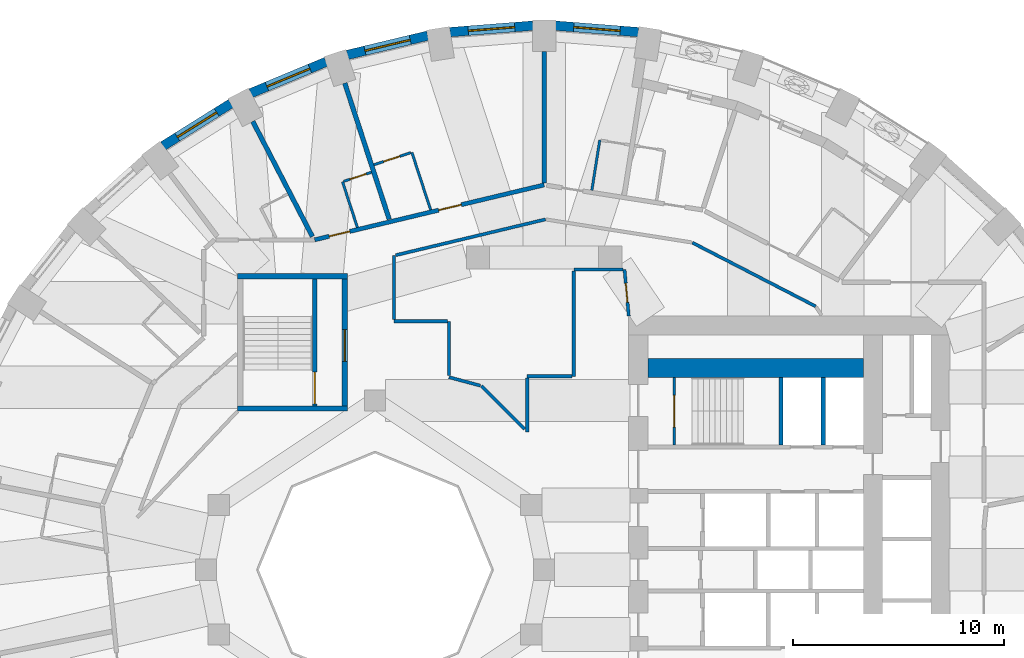
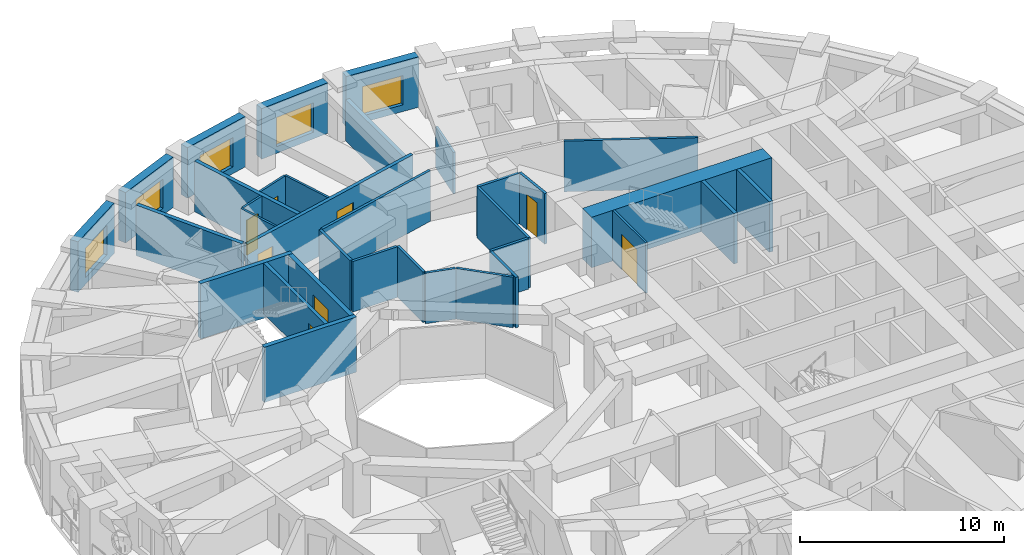
# One storey, part 8 of 13: 34 walls, 8 doors, 5 windows, 13 openings.
"""IFC4 building model written with IfcOpenShell, lengths in metres."""

from ifc_helpers import new_model, si_unit, direction, frame, frame_2d, origin, place, context, subcontext, project, spatial, rectangle, extrude, material, layer, layer_set, type_object, element, fill, save


model = new_model("IFC4")

# Units and contexts
model_context = context("Model", 3, precision=1e-05, world=origin(), true_north=direction((0.0, 1.0)))
body_context = subcontext(model_context, "Body", "Model", "MODEL_VIEW")
ifc_project = project(units=[si_unit("LENGTHUNIT", "METRE"), si_unit("AREAUNIT", "SQUARE_METRE"), si_unit("VOLUMEUNIT", "CUBIC_METRE"), si_unit("PLANEANGLEUNIT", "RADIAN"), si_unit("MASSUNIT", "GRAM", prefix="KILO")], contexts=[model_context])

# Site, building, storey
site_placement = place(None, origin())
site = spatial("IfcSite", under=ifc_project, at=site_placement, CompositionType="ELEMENT")
building_placement = place(site_placement, origin())
building = spatial("IfcBuilding", under=site, at=building_placement, Name="Taillehof Tower", CompositionType="ELEMENT")
storey_placement = place(building_placement, frame((0.0, 0.0, 61.300048828125)))
storey = spatial("IfcBuildingStorey", under=building, at=storey_placement, Name="L16", CompositionType="ELEMENT", Elevation=61.300048828125)

# Wall, opening, window
ifc_material_1 = material(Name="Brick masonry", Category="masonry")
ifc_layer_1 = layer(ifc_material_1, 0.449951171875)
ifc_layer_set_1 = layer_set([ifc_layer_1], Name="Brick infill wall 450")
wall_type_1 = type_object("IfcWallType", Name="Brick infill wall 450", PredefinedType="SOLIDWALL", material=ifc_layer_set_1)
wall_1_placement = place(storey_placement, frame((4.457275390625, 25.42578125, 0.0), z_axis=(0.0, 0.0, 1.0), x_axis=(-0.996955972145, 0.077966592873, 0.0)))
wall_1 = element("IfcWall", 1, at=wall_1_placement, inside=storey, type_object=wall_type_1, Name="Brick wall L16 bay 9", PredefinedType="SOLIDWALL", context=body_context, shape_type="SweptSolid", body=[
    extrude(rectangle(XDim=3.939208984375, YDim=0.449951171875, at=frame_2d((1.9697265625, 0.0))), origin(), (0.0, 0.0, 1.0), 3.02001953125),
])
opening_1_placement = place(wall_1_placement, frame((0.86962890625, 0.0, 0.39990234375)))
opening_1 = element("IfcOpeningElement", 2, at=opening_1_placement, cuts=wall_1, Name="Opening W1", PredefinedType="OPENING", context=body_context, shape_type="SweptSolid", body=[
    extrude(rectangle(XDim=2.199951171875, YDim=1.75, at=frame_2d((1.10009765625, 0.875))), frame((0.0, 0.23486328125, 0.0), z_axis=(0.0, -1.0, 0.0), x_axis=(1.0, 0.0, 0.0)), (0.0, 0.0, 1.0), 0.469970703125),
])
ifc_material_2 = material(Name="Aluminium window frame with clear double glazing", Category="aluminium")
window_type = type_object("IfcWindowType", Name="Deep-set window 2200x1750", PartitioningType="SINGLE_PANEL", PredefinedType="WINDOW", material=ifc_material_2)
window_1_placement = place(opening_1_placement, origin())
window_1 = element("IfcWindow", 3, at=window_1_placement, inside=storey, type_object=window_type, Name="W1", OverallHeight=1.75, OverallWidth=2.199951171875, PartitioningType="SINGLE_PANEL", PredefinedType="WINDOW", context=body_context, shape_type="SweptSolid", body=[
    extrude(rectangle(XDim=2.199951171875, YDim=1.75, at=frame_2d((1.10009765625, 0.875))), frame((0.0, 0.034912109375, 0.0), z_axis=(0.0, -1.0, 0.0), x_axis=(1.0, 0.0, 0.0)), (0.0, 0.0, 1.0), 0.06005859375),
])
fill(opening_1, window_1)

wall_2_placement = place(storey_placement, frame((-0.530029296875, 25.73291015625, 0.0), z_axis=(0.0, 0.0, 1.0), x_axis=(-0.996955972145, -0.077966592873, 0.0)))
wall_2 = element("IfcWall", 4, at=wall_2_placement, inside=storey, type_object=wall_type_1, Name="Brick wall L16 bay 10", PredefinedType="SOLIDWALL", context=body_context, shape_type="SweptSolid", body=[
    extrude(rectangle(XDim=3.939208984375, YDim=0.449951171875, at=frame_2d((1.9697265625, 0.0))), origin(), (0.0, 0.0, 1.0), 3.02001953125),
])
opening_2_placement = place(wall_2_placement, frame((0.86962890625, 0.0, 0.39990234375)))
opening_2 = element("IfcOpeningElement", 5, at=opening_2_placement, cuts=wall_2, Name="Opening W1", PredefinedType="OPENING", context=body_context, shape_type="SweptSolid", body=[
    extrude(rectangle(XDim=2.199951171875, YDim=1.75, at=frame_2d((1.10009765625, 0.875))), frame((0.0, 0.23486328125, 0.0), z_axis=(0.0, -1.0, 0.0), x_axis=(1.0, 0.0, 0.0)), (0.0, 0.0, 1.0), 0.469970703125),
])
window_2_placement = place(opening_2_placement, origin())
window_2 = element("IfcWindow", 6, at=window_2_placement, inside=storey, type_object=window_type, Name="W1", OverallHeight=1.75, OverallWidth=2.199951171875, PartitioningType="SINGLE_PANEL", PredefinedType="WINDOW", context=body_context, shape_type="SweptSolid", body=[
    extrude(rectangle(XDim=2.199951171875, YDim=1.75, at=frame_2d((1.10009765625, 0.875))), frame((0.0, 0.034912109375, 0.0), z_axis=(0.0, -1.0, 0.0), x_axis=(1.0, 0.0, 0.0)), (0.0, 0.0, 1.0), 0.06005859375),
])
fill(opening_2, window_2)

wall_3_placement = place(storey_placement, frame((-5.50439453125, 25.260498046875, 0.0), z_axis=(0.0, 0.0, 1.0), x_axis=(-0.972496561493, -0.232917233979, 0.0)))
wall_3 = element("IfcWall", 7, at=wall_3_placement, inside=storey, type_object=wall_type_1, Name="Brick wall L16 bay 11", PredefinedType="SOLIDWALL", context=body_context, shape_type="SweptSolid", body=[
    extrude(rectangle(XDim=3.910888671875, YDim=0.449951171875, at=frame_2d((1.95556640625, 0.0))), origin(), (0.0, 0.0, 1.0), 3.02001953125),
])
opening_3_placement = place(wall_3_placement, frame((0.855224609375, 0.0, 0.39990234375)))
opening_3 = element("IfcOpeningElement", 8, at=opening_3_placement, cuts=wall_3, Name="Opening W1", PredefinedType="OPENING", context=body_context, shape_type="SweptSolid", body=[
    extrude(rectangle(XDim=2.199951171875, YDim=1.75, at=frame_2d((1.10009765625, 0.875))), frame((0.0, 0.23486328125, 0.0), z_axis=(0.0, -1.0, 0.0), x_axis=(1.0, 0.0, 0.0)), (0.0, 0.0, 1.0), 0.469970703125),
])
window_3_placement = place(opening_3_placement, origin())
window_3 = element("IfcWindow", 9, at=window_3_placement, inside=storey, type_object=window_type, Name="W1", OverallHeight=1.75, OverallWidth=2.199951171875, PartitioningType="SINGLE_PANEL", PredefinedType="WINDOW", context=body_context, shape_type="SweptSolid", body=[
    extrude(rectangle(XDim=2.199951171875, YDim=1.75, at=frame_2d((1.10009765625, 0.875))), frame((0.0, 0.034912109375, 0.0), z_axis=(0.0, -1.0, 0.0), x_axis=(1.0, 0.0, 0.0)), (0.0, 0.0, 1.0), 0.06005859375),
])
fill(opening_3, window_3)

wall_4_placement = place(storey_placement, frame((-10.3154296875, 24.02099609375, 0.0), z_axis=(0.0, 0.0, 1.0), x_axis=(-0.923031964282, -0.384723267966, 0.0)))
wall_4 = element("IfcWall", 10, at=wall_4_placement, inside=storey, type_object=wall_type_1, Name="Brick wall L16 bay 12", PredefinedType="SOLIDWALL", context=body_context, shape_type="SweptSolid", body=[
    extrude(rectangle(XDim=3.8564453125, YDim=0.449951171875, at=frame_2d((1.92822265625, 0.0))), origin(), (0.0, 0.0, 1.0), 3.02001953125),
])
opening_4_placement = place(wall_4_placement, frame((0.828125, 0.0, 0.39990234375)))
opening_4 = element("IfcOpeningElement", 11, at=opening_4_placement, cuts=wall_4, Name="Opening W1", PredefinedType="OPENING", context=body_context, shape_type="SweptSolid", body=[
    extrude(rectangle(XDim=2.199951171875, YDim=1.75, at=frame_2d((1.10009765625, 0.875))), frame((0.0, 0.23486328125, 0.0), z_axis=(0.0, -1.0, 0.0), x_axis=(1.0, 0.0, 0.0)), (0.0, 0.0, 1.0), 0.469970703125),
])
window_4_placement = place(opening_4_placement, origin())
window_4 = element("IfcWindow", 12, at=window_4_placement, inside=storey, type_object=window_type, Name="W1", OverallHeight=1.75, OverallWidth=2.199951171875, PartitioningType="SINGLE_PANEL", PredefinedType="WINDOW", context=body_context, shape_type="SweptSolid", body=[
    extrude(rectangle(XDim=2.199951171875, YDim=1.75, at=frame_2d((1.10009765625, 0.875))), frame((0.0, 0.034912109375, 0.0), z_axis=(0.0, -1.0, 0.0), x_axis=(1.0, 0.0, 0.0)), (0.0, 0.0, 1.0), 0.06005859375),
])
fill(opening_4, window_4)

wall_5_placement = place(storey_placement, frame((-14.81689453125, 22.050537109375, 0.0), z_axis=(0.0, 0.0, 1.0), x_axis=(-0.847635480093, -0.530579016629, 0.0)))
wall_5 = element("IfcWall", 13, at=wall_5_placement, inside=storey, type_object=wall_type_1, Name="Brick wall L16 bay 13", PredefinedType="SOLIDWALL", context=body_context, shape_type="SweptSolid", body=[
    extrude(rectangle(XDim=3.782470703125, YDim=0.449951171875, at=frame_2d((1.89111328125, 0.0))), origin(), (0.0, 0.0, 1.0), 3.02001953125),
])
opening_5_placement = place(wall_5_placement, frame((0.791259765625, 0.0, 0.39990234375)))
opening_5 = element("IfcOpeningElement", 14, at=opening_5_placement, cuts=wall_5, Name="Opening W1", PredefinedType="OPENING", context=body_context, shape_type="SweptSolid", body=[
    extrude(rectangle(XDim=2.199951171875, YDim=1.75, at=frame_2d((1.10009765625, 0.875))), frame((0.0, 0.23486328125, 0.0), z_axis=(0.0, -1.0, 0.0), x_axis=(1.0, 0.0, 0.0)), (0.0, 0.0, 1.0), 0.469970703125),
])
window_5_placement = place(opening_5_placement, origin())
window_5 = element("IfcWindow", 15, at=window_5_placement, inside=storey, type_object=window_type, Name="W1", OverallHeight=1.75, OverallWidth=2.199951171875, PartitioningType="SINGLE_PANEL", PredefinedType="WINDOW", context=body_context, shape_type="SweptSolid", body=[
    extrude(rectangle(XDim=2.199951171875, YDim=1.75, at=frame_2d((1.10009765625, 0.875))), frame((0.0, 0.034912109375, 0.0), z_axis=(0.0, -1.0, 0.0), x_axis=(1.0, 0.0, 0.0)), (0.0, 0.0, 1.0), 0.06005859375),
])
fill(opening_5, window_5)

# Wall, openings, doors
ifc_material_3 = material(Name="Gypsum board on steel studs, two layers each side", Category="steel")
ifc_layer_2 = layer(ifc_material_3, 0.199951171875)
ifc_layer_set_2 = layer_set([ifc_layer_2], Name="Compartment wall corridor 200")
wall_type_2 = type_object("IfcWallType", Name="Compartment wall corridor 200", PredefinedType="PARTITIONING", material=ifc_layer_set_2)
wall_6_placement = place(storey_placement, frame((-10.8515625, 15.604736328125, 0.0), z_axis=(0.0, 0.0, 1.0), x_axis=(0.972573296372, 0.232596610431, 0.0)))
wall_6 = element("IfcWall", 16, at=wall_6_placement, inside=storey, type_object=wall_type_2, Name="Compartment wall", PredefinedType="PARTITIONING", context=body_context, shape_type="SweptSolid", body=[
    extrude(rectangle(XDim=11.157470703125, YDim=0.199951171875, at=frame_2d((5.57861328125, 0.0))), origin(), (0.0, 0.0, 1.0), 3.02001953125),
])
opening_6_placement = place(wall_6_placement, frame((6.029052734375, 0.0, 0.0)))
opening_6 = element("IfcOpeningElement", 17, at=opening_6_placement, cuts=wall_6, Name="Opening D1646", PredefinedType="OPENING", context=body_context, shape_type="SweptSolid", body=[
    extrude(rectangle(XDim=1.10009765625, YDim=2.10009765625, at=frame_2d((0.550048828125, 1.050048828125))), frame((0.0, 0.10986328125, 0.0), z_axis=(0.0, -1.0, 0.0), x_axis=(1.0, 0.0, 0.0)), (0.0, 0.0, 1.0), 0.219970703125),
])
opening_7_placement = place(wall_6_placement, frame((0.705078125, 0.0, 0.0)))
opening_7 = element("IfcOpeningElement", 18, at=opening_7_placement, cuts=wall_6, Name="Opening D1648", PredefinedType="OPENING", context=body_context, shape_type="SweptSolid", body=[
    extrude(rectangle(XDim=1.0, YDim=2.10009765625, at=frame_2d((0.5, 1.050048828125))), frame((0.0, 0.10986328125, 0.0), z_axis=(0.0, -1.0, 0.0), x_axis=(1.0, 0.0, 0.0)), (0.0, 0.0, 1.0), 0.219970703125),
])
ifc_material_4 = material(Name="Timber door leaf in steel frame", Category="steel")
door_type_1 = type_object("IfcDoorType", Name="Guest room door EI 30 1000 x 2100", OperationType="SINGLE_SWING_LEFT", PredefinedType="DOOR", material=ifc_material_4)
door_1_placement = place(opening_7_placement, origin())
door_1 = element("IfcDoor", 19, at=door_1_placement, inside=storey, type_object=door_type_1, Name="D1648", OperationType="SINGLE_SWING_RIGHT", OverallHeight=2.10009765625, OverallWidth=1.0, PredefinedType="DOOR", context=body_context, shape_type="SweptSolid", body=[
    extrude(rectangle(XDim=1.0, YDim=2.10009765625, at=frame_2d((0.5, 1.050048828125))), frame((0.0, 0.02490234375, 0.0), z_axis=(0.0, -1.0, 0.0), x_axis=(1.0, 0.0, 0.0)), (0.0, 0.0, 1.0), 0.050048828125),
])
fill(opening_7, door_1)
ifc_material_5 = material(Name="Timber door leaf in steel frame", Category="steel")
door_type_2 = type_object("IfcDoorType", Name="Suite entrance door EI 30 1100 x 2100", OperationType="SINGLE_SWING_LEFT", PredefinedType="DOOR", material=ifc_material_5)
door_2_placement = place(opening_6_placement, origin())
door_2 = element("IfcDoor", 20, at=door_2_placement, inside=storey, type_object=door_type_2, Name="D1646", OperationType="SINGLE_SWING_LEFT", OverallHeight=2.10009765625, OverallWidth=1.10009765625, PredefinedType="DOOR", context=body_context, shape_type="SweptSolid", body=[
    extrude(rectangle(XDim=1.10009765625, YDim=2.10009765625, at=frame_2d((0.550048828125, 1.050048828125))), frame((0.0, 0.02490234375, 0.0), z_axis=(0.0, -1.0, 0.0), x_axis=(1.0, 0.0, 0.0)), (0.0, 0.0, 1.0), 0.050048828125),
])
fill(opening_6, door_2)

# Walls
ifc_material_6 = material(Name="Gypsum board on double steel studs with mineral wool", Category="steel")
ifc_layer_3 = layer(ifc_material_6, 0.219970703125)
ifc_layer_set_3 = layer_set([ifc_layer_3], Name="Compartment wall guest room 220")
wall_type_3 = type_object("IfcWallType", Name="Compartment wall guest room 220", PredefinedType="PARTITIONING", material=ifc_layer_set_3)
wall_7_placement = place(storey_placement, frame((0.0, 24.5, 0.0), z_axis=(0.0, 0.0, 1.0), x_axis=(0.0, -1.0, 0.0)))
element("IfcWall", 21, at=wall_7_placement, inside=storey, type_object=wall_type_3, Name="Compartment wall", PredefinedType="PARTITIONING", context=body_context, shape_type="SweptSolid", body=[
    extrude(rectangle(XDim=6.199951171875, YDim=0.219970703125, at=frame_2d((3.10009765625, 0.0))), origin(), (0.0, 0.0, 1.0), 2.469970703125),
])
wall_8_placement = place(storey_placement, frame((-9.429443359375, 23.01416015625, 0.0), z_axis=(0.0, 0.0, 1.0), x_axis=(0.310223739243, -0.950663574357, 0.0)))
element("IfcWall", 22, at=wall_8_placement, inside=storey, type_object=wall_type_3, Name="Compartment wall", PredefinedType="PARTITIONING", context=body_context, shape_type="SweptSolid", body=[
    extrude(rectangle(XDim=6.777587890625, YDim=0.219970703125, at=frame_2d((3.388671875, 0.0))), origin(), (0.0, 0.0, 1.0), 3.02001953125),
])
wall_9_placement = place(storey_placement, frame((-13.7802734375, 21.201171875, 0.0), z_axis=(0.0, 0.0, 1.0), x_axis=(0.459699000582, -0.888074787878, 0.0)))
element("IfcWall", 23, at=wall_9_placement, inside=storey, type_object=wall_type_3, Name="Compartment wall", PredefinedType="PARTITIONING", context=body_context, shape_type="SweptSolid", body=[
    extrude(rectangle(XDim=6.134033203125, YDim=0.219970703125, at=frame_2d((3.06689453125, 0.0))), origin(), (0.0, 0.0, 1.0), 3.02001953125),
])

# Wall, opening, door
ifc_material_7 = material(Name="Gypsum board on steel studs, two layers each side", Category="steel")
ifc_layer_4 = layer(ifc_material_7, 0.14990234375)
ifc_layer_set_4 = layer_set([ifc_layer_4], Name="Compartment wall service room 150")
wall_type_4 = type_object("IfcWallType", Name="Compartment wall service room 150", PredefinedType="PARTITIONING", material=ifc_layer_set_4)
wall_10_placement = place(storey_placement, frame((4.0, 11.9990234375, 0.0), z_axis=(0.0, 0.0, 1.0), x_axis=(-0.090475982725, 0.995898637689, 0.0)))
wall_10 = element("IfcWall", 24, at=wall_10_placement, inside=storey, type_object=wall_type_4, Name="Compartment wall", PredefinedType="PARTITIONING", context=body_context, shape_type="SweptSolid", body=[
    extrude(rectangle(XDim=2.2099609375, YDim=0.14990234375, at=frame_2d((1.10498046875, 0.0))), origin(), (0.0, 0.0, 1.0), 3.02001953125),
])
opening_8_placement = place(wall_10_placement, frame((0.655029296875, 0.0, 0.0)))
opening_8 = element("IfcOpeningElement", 25, at=opening_8_placement, cuts=wall_10, Name="Opening D1679", PredefinedType="OPENING", context=body_context, shape_type="SweptSolid", body=[
    extrude(rectangle(XDim=0.89990234375, YDim=2.10009765625, at=frame_2d((0.449951171875, 1.050048828125))), frame((0.0, 0.0849609375, 0.0), z_axis=(0.0, -1.0, 0.0), x_axis=(1.0, 0.0, 0.0)), (0.0, 0.0, 1.0), 0.169921875),
])
ifc_material_8 = material(Name="Timber door leaf in steel frame", Category="steel")
door_type_3 = type_object("IfcDoorType", Name="Service room door EI 30 900 x 2100", OperationType="SINGLE_SWING_LEFT", PredefinedType="DOOR", material=ifc_material_8)
door_3_placement = place(opening_8_placement, origin())
door_3 = element("IfcDoor", 26, at=door_3_placement, inside=storey, type_object=door_type_3, Name="D1679", OperationType="SINGLE_SWING_RIGHT", OverallHeight=2.10009765625, OverallWidth=0.89990234375, PredefinedType="DOOR", context=body_context, shape_type="SweptSolid", body=[
    extrude(rectangle(XDim=0.89990234375, YDim=2.10009765625, at=frame_2d((0.449951171875, 1.050048828125))), frame((0.0, 0.02490234375, 0.0), z_axis=(0.0, -1.0, 0.0), x_axis=(1.0, 0.0, 0.0)), (0.0, 0.0, 1.0), 0.050048828125),
])
fill(opening_8, door_3)

# Walls
wall_11_placement = place(storey_placement, frame((3.719970703125, 14.199951171875, 0.0), z_axis=(0.0, 0.0, 1.0), x_axis=(-1.0, 0.0, 0.0)))
element("IfcWall", 27, at=wall_11_placement, inside=storey, type_object=wall_type_4, Name="Compartment wall", PredefinedType="PARTITIONING", context=body_context, shape_type="SweptSolid", body=[
    extrude(rectangle(XDim=2.320068359375, YDim=0.14990234375, at=frame_2d((1.16015625, 0.0))), origin(), (0.0, 0.0, 1.0), 3.02001953125),
])
wall_12_placement = place(storey_placement, frame((1.39990234375, 14.119873046875, 0.0), z_axis=(0.0, 0.0, 1.0), x_axis=(0.0, -1.0, 0.0)))
element("IfcWall", 28, at=wall_12_placement, inside=storey, type_object=wall_type_4, Name="Compartment wall", PredefinedType="PARTITIONING", context=body_context, shape_type="SweptSolid", body=[
    extrude(rectangle(XDim=4.969970703125, YDim=0.14990234375, at=frame_2d((2.48486328125, 0.0))), origin(), (0.0, 0.0, 1.0), 3.02001953125),
])
wall_13_placement = place(storey_placement, frame((1.31982421875, 9.14990234375, 0.0), z_axis=(0.0, 0.0, 1.0), x_axis=(-1.0, 0.0, 0.0)))
element("IfcWall", 29, at=wall_13_placement, inside=storey, type_object=wall_type_4, Name="Compartment wall", PredefinedType="PARTITIONING", context=body_context, shape_type="SweptSolid", body=[
    extrude(rectangle(XDim=2.119873046875, YDim=0.14990234375, at=frame_2d((1.06005859375, 0.0))), origin(), (0.0, 0.0, 1.0), 3.02001953125),
])
wall_14_placement = place(storey_placement, frame((-0.800048828125, 9.06982421875, 0.0), z_axis=(0.0, 0.0, 1.0), x_axis=(0.0, -1.0, 0.0)))
element("IfcWall", 30, at=wall_14_placement, inside=storey, type_object=wall_type_4, Name="Compartment wall", PredefinedType="PARTITIONING", context=body_context, shape_type="SweptSolid", body=[
    extrude(rectangle(XDim=2.552001953125, YDim=0.14990234375, at=frame_2d((1.27587890625, 0.0))), origin(), (0.0, 0.0, 1.0), 3.02001953125),
])
wall_15_placement = place(storey_placement, frame((-0.927490234375, 6.645263671875, 0.0), z_axis=(0.0, 0.0, 1.0), x_axis=(-0.707106781187, 0.707106781187, 0.0)))
element("IfcWall", 31, at=wall_15_placement, inside=storey, type_object=wall_type_4, Name="Compartment wall", PredefinedType="PARTITIONING", context=body_context, shape_type="SweptSolid", body=[
    extrude(rectangle(XDim=2.9013671875, YDim=0.14990234375, at=frame_2d((1.45068359375, 0.0))), origin(), (0.0, 0.0, 1.0), 3.02001953125),
])
wall_16_placement = place(storey_placement, frame((-3.017578125, 8.70703125, 0.0), z_axis=(0.0, 0.0, 1.0), x_axis=(-0.965925329025, 0.25882090091, 0.0)))
element("IfcWall", 32, at=wall_16_placement, inside=storey, type_object=wall_type_4, Name="Compartment wall", PredefinedType="PARTITIONING", context=body_context, shape_type="SweptSolid", body=[
    extrude(rectangle(XDim=1.53466796875, YDim=0.14990234375, at=frame_2d((0.767333984375, 0.0))), origin(), (0.0, 0.0, 1.0), 3.02001953125),
])
wall_17_placement = place(storey_placement, frame((-4.5, 9.184326171875, 0.0), z_axis=(0.0, 0.0, 1.0), x_axis=(0.0, 1.0, 0.0)))
element("IfcWall", 33, at=wall_17_placement, inside=storey, type_object=wall_type_4, Name="Compartment wall", PredefinedType="PARTITIONING", context=body_context, shape_type="SweptSolid", body=[
    extrude(rectangle(XDim=2.565673828125, YDim=0.14990234375, at=frame_2d((1.28271484375, 0.0))), origin(), (0.0, 0.0, 1.0), 3.02001953125),
])
wall_18_placement = place(storey_placement, frame((-4.580078125, 11.75, 0.0), z_axis=(0.0, 0.0, 1.0), x_axis=(-1.0, 0.0, 0.0)))
element("IfcWall", 34, at=wall_18_placement, inside=storey, type_object=wall_type_4, Name="Compartment wall", PredefinedType="PARTITIONING", context=body_context, shape_type="SweptSolid", body=[
    extrude(rectangle(XDim=2.52001953125, YDim=0.14990234375, at=frame_2d((1.260009765625, 0.0))), origin(), (0.0, 0.0, 1.0), 3.02001953125),
])
wall_19_placement = place(storey_placement, frame((-7.10009765625, 11.830078125, 0.0), z_axis=(0.0, 0.0, 1.0), x_axis=(0.0, 1.0, 0.0)))
element("IfcWall", 35, at=wall_19_placement, inside=storey, type_object=wall_type_4, Name="Compartment wall", PredefinedType="PARTITIONING", context=body_context, shape_type="SweptSolid", body=[
    extrude(rectangle(XDim=3.026611328125, YDim=0.14990234375, at=frame_2d((1.51318359375, 0.0))), origin(), (0.0, 0.0, 1.0), 3.02001953125),
])
wall_20_placement = place(storey_placement, frame((-7.02197265625, 14.875244140625, 0.0), z_axis=(0.0, 0.0, 1.0), x_axis=(0.972565872543, 0.232627650043, 0.0)))
element("IfcWall", 36, at=wall_20_placement, inside=storey, type_object=wall_type_4, Name="Compartment wall", PredefinedType="PARTITIONING", context=body_context, shape_type="SweptSolid", body=[
    extrude(rectangle(XDim=7.28564453125, YDim=0.14990234375, at=frame_2d((3.642822265625, 0.0))), origin(), (0.0, 0.0, 1.0), 3.02001953125),
])
wall_21_placement = place(storey_placement, frame((7.011962890625, 15.46728515625, 0.0), z_axis=(0.0, 0.0, 1.0), x_axis=(0.888509096081, -0.458859004685, 0.0)))
element("IfcWall", 37, at=wall_21_placement, inside=storey, type_object=wall_type_4, Name="Compartment wall", PredefinedType="PARTITIONING", context=body_context, shape_type="SweptSolid", body=[
    extrude(rectangle(XDim=6.561279296875, YDim=0.14990234375, at=frame_2d((3.28076171875, 0.0))), origin(), (0.0, 0.0, 1.0), 3.02001953125),
])
ifc_material_9 = material(Name="Concrete C80/95", Category="concrete")
ifc_layer_5 = layer(ifc_material_9, 0.89990234375)
ifc_layer_set_5 = layer_set([ifc_layer_5], Name="Core wall C80/95 900")
wall_type_5 = type_object("IfcWallType", Name="Core wall C80/95 900", PredefinedType="SHEAR", material=ifc_layer_set_5)
wall_22_placement = place(storey_placement, frame((4.89990234375, 9.550048828125, 0.0), z_axis=(0.0, 0.0, 1.0), x_axis=(1.0, 0.0, 0.0)))
element("IfcWall", 38, at=wall_22_placement, inside=storey, type_object=wall_type_5, Name="Core wall CW06", PredefinedType="SHEAR", context=body_context, shape_type="SweptSolid", body=[
    extrude(rectangle(XDim=10.2001953125, YDim=0.89990234375, at=frame_2d((5.10009765625, 0.0))), origin(), (0.0, 0.0, 1.0), 3.02001953125),
])
ifc_material_10 = material(Name="Gypsum board on steel studs, moisture resistant", Category="steel")
ifc_layer_6 = layer(ifc_material_10, 0.1201171875)
ifc_layer_set_6 = layer_set([ifc_layer_6], Name="En-suite wall 120")
wall_type_6 = type_object("IfcWallType", Name="En-suite wall 120", PredefinedType="PARTITIONING", material=ifc_layer_set_6)
wall_23_placement = place(storey_placement, frame((2.255615234375, 17.9453125, 0.0), z_axis=(0.0, 0.0, 1.0), x_axis=(0.156114026572, 0.987739039781, 0.0)))
element("IfcWall", 39, at=wall_23_placement, inside=storey, type_object=wall_type_6, Name="En-suite wall", PredefinedType="PARTITIONING", context=body_context, shape_type="SweptSolid", body=[
    extrude(rectangle(XDim=2.400634765625, YDim=0.1201171875, at=frame_2d((1.2001953125, 0.0))), origin(), (0.0, 0.0, 1.0), 2.469970703125),
])
wall_24_placement = place(storey_placement, frame((-5.369140625, 17.018798828125, 0.0), z_axis=(0.0, 0.0, 1.0), x_axis=(-0.310231838646, 0.950660931295, 0.0)))
element("IfcWall", 40, at=wall_24_placement, inside=storey, type_object=wall_type_6, Name="En-suite wall", PredefinedType="PARTITIONING", context=body_context, shape_type="SweptSolid", body=[
    extrude(rectangle(XDim=2.861328125, YDim=0.1201171875, at=frame_2d((1.4306640625, 0.0))), origin(), (0.0, 0.0, 1.0), 3.02001953125),
])
wall_25_placement = place(storey_placement, frame((-8.8330078125, 16.190185546875, 0.0), z_axis=(0.0, 0.0, 1.0), x_axis=(-0.310231525188, 0.950661033586, 0.0)))
element("IfcWall", 41, at=wall_25_placement, inside=storey, type_object=wall_type_6, Name="En-suite wall", PredefinedType="PARTITIONING", context=body_context, shape_type="SweptSolid", body=[
    extrude(rectangle(XDim=2.2744140625, YDim=0.1201171875, at=frame_2d((1.13720703125, 0.0))), origin(), (0.0, 0.0, 1.0), 3.02001953125),
])

# Wall, opening, door
wall_26_placement = place(storey_placement, frame((-6.31396484375, 19.720458984375, 0.0), z_axis=(0.0, 0.0, 1.0), x_axis=(-0.950639191072, -0.310298450524, 0.0)))
wall_26 = element("IfcWall", 42, at=wall_26_placement, inside=storey, type_object=wall_type_6, Name="En-suite wall", PredefinedType="PARTITIONING", context=body_context, shape_type="SweptSolid", body=[
    extrude(rectangle(XDim=1.830078125, YDim=0.1201171875, at=frame_2d((0.9150390625, 0.0))), origin(), (0.0, 0.0, 1.0), 3.02001953125),
])
opening_9_placement = place(wall_26_placement, frame((0.5400390625, 0.0, 0.0)))
opening_9 = element("IfcOpeningElement", 43, at=opening_9_placement, cuts=wall_26, Name="Opening D1647", PredefinedType="OPENING", context=body_context, shape_type="SweptSolid", body=[
    extrude(rectangle(XDim=0.800048828125, YDim=2.10009765625, at=frame_2d((0.39990234375, 1.050048828125))), frame((0.0, 0.070068359375, 0.0), z_axis=(0.0, -1.0, 0.0), x_axis=(1.0, 0.0, 0.0)), (0.0, 0.0, 1.0), 0.14013671875),
])
ifc_material_11 = material(Name="Timber door leaf in steel frame", Category="steel")
door_type_4 = type_object("IfcDoorType", Name="En-suite door 800 x 2100", OperationType="SINGLE_SWING_LEFT", PredefinedType="DOOR", material=ifc_material_11)
door_4_placement = place(opening_9_placement, origin())
door_4 = element("IfcDoor", 44, at=door_4_placement, inside=storey, type_object=door_type_4, Name="D1647", OperationType="SINGLE_SWING_LEFT", OverallHeight=2.10009765625, OverallWidth=0.800048828125, PredefinedType="DOOR", context=body_context, shape_type="SweptSolid", body=[
    extrude(rectangle(XDim=0.800048828125, YDim=2.10009765625, at=frame_2d((0.39990234375, 1.050048828125))), frame((0.0, 0.02490234375, 0.0), z_axis=(0.0, -1.0, 0.0), x_axis=(1.0, 0.0, 0.0)), (0.0, 0.0, 1.0), 0.050048828125),
])
fill(opening_9, door_4)

wall_27_placement = place(storey_placement, frame((-9.4814453125, 18.37060546875, 0.0), z_axis=(0.0, 0.0, 1.0), x_axis=(0.950576687533, 0.310489872812, 0.0)))
wall_27 = element("IfcWall", 45, at=wall_27_placement, inside=storey, type_object=wall_type_6, Name="En-suite wall", PredefinedType="PARTITIONING", context=body_context, shape_type="SweptSolid", body=[
    extrude(rectangle(XDim=1.3798828125, YDim=0.1201171875, at=frame_2d((0.68994140625, 0.0))), origin(), (0.0, 0.0, 1.0), 3.02001953125),
])
opening_10_placement = place(wall_27_placement, frame((0.31494140625, 0.0, 0.0)))
opening_10 = element("IfcOpeningElement", 46, at=opening_10_placement, cuts=wall_27, Name="Opening D1649", PredefinedType="OPENING", context=body_context, shape_type="SweptSolid", body=[
    extrude(rectangle(XDim=0.800048828125, YDim=2.10009765625, at=frame_2d((0.39990234375, 1.050048828125))), frame((0.0, 0.070068359375, 0.0), z_axis=(0.0, -1.0, 0.0), x_axis=(1.0, 0.0, 0.0)), (0.0, 0.0, 1.0), 0.14013671875),
])
door_5_placement = place(opening_10_placement, origin())
door_5 = element("IfcDoor", 47, at=door_5_placement, inside=storey, type_object=door_type_4, Name="D1649", OperationType="SINGLE_SWING_RIGHT", OverallHeight=2.10009765625, OverallWidth=0.800048828125, PredefinedType="DOOR", context=body_context, shape_type="SweptSolid", body=[
    extrude(rectangle(XDim=0.800048828125, YDim=2.10009765625, at=frame_2d((0.39990234375, 1.050048828125))), frame((0.0, 0.02490234375, 0.0), z_axis=(0.0, -1.0, 0.0), x_axis=(1.0, 0.0, 0.0)), (0.0, 0.0, 1.0), 0.050048828125),
])
fill(opening_10, door_5)

# Walls
ifc_material_12 = material(Name="Concrete C50/60", Category="concrete")
ifc_layer_7 = layer(ifc_material_12, 0.199951171875)
ifc_layer_set_7 = layer_set([ifc_layer_7], Name="Shaft wall C50/60 200")
wall_type_7 = type_object("IfcWallType", Name="Shaft wall C50/60 200", PredefinedType="SHEAR", material=ifc_layer_set_7)
for number, where, z_axis, x_axis, name in (
    (48, (11.199951171875, 5.89990234375, 0.0), (0.0, 0.0, 1.0), (0.0, 1.0, 0.0), "Shaft wall SW"),
    (49, (13.199951171875, 5.89990234375, 0.0), (0.0, 0.0, 1.0), (0.0, 1.0, 0.0), "Shaft wall SW"),
):
    element("IfcWall", number, at=place(storey_placement, frame(where, z_axis=z_axis, x_axis=x_axis)), inside=storey, type_object=wall_type_7, Name=name, PredefinedType="SHEAR", context=body_context, shape_type="SweptSolid", body=[
        extrude(rectangle(XDim=3.2001953125, YDim=0.199951171875, at=frame_2d((1.60009765625, 0.0))), origin(), (0.0, 0.0, 1.0), 3.02001953125),
    ])

# Wall, opening, door
wall_28_placement = place(storey_placement, frame((-10.85009765625, 7.75, 0.0), z_axis=(0.0, 0.0, 1.0), x_axis=(0.0, 1.0, 0.0)))
wall_28 = element("IfcWall", 50, at=wall_28_placement, inside=storey, type_object=wall_type_7, Name="Shaft wall SW", PredefinedType="SHEAR", context=body_context, shape_type="SweptSolid", body=[
    extrude(rectangle(XDim=6.0, YDim=0.199951171875, at=frame_2d((3.0, 0.0))), origin(), (0.0, 0.0, 1.0), 3.02001953125),
])
opening_11_placement = place(wall_28_placement, frame((0.10009765625, 0.0, 0.0)))
opening_11 = element("IfcOpeningElement", 51, at=opening_11_placement, cuts=wall_28, Name="Opening D1612", PredefinedType="OPENING", context=body_context, shape_type="SweptSolid", body=[
    extrude(rectangle(XDim=1.5, YDim=2.10009765625, at=frame_2d((0.75, 1.050048828125))), frame((0.0, 0.10986328125, 0.0), z_axis=(0.0, -1.0, 0.0), x_axis=(1.0, 0.0, 0.0)), (0.0, 0.0, 1.0), 0.219970703125),
])
ifc_material_13 = material(Name="Steel-faced fire door", Category="steel")
door_type_5 = type_object("IfcDoorType", Name="Stair door 1500x2100", OperationType="DOUBLE_DOOR_SINGLE_SWING", PredefinedType="DOOR", material=ifc_material_13)
door_6_placement = place(opening_11_placement, origin())
door_6 = element("IfcDoor", 52, at=door_6_placement, inside=storey, type_object=door_type_5, Name="Stair lobby door S3", OperationType="DOUBLE_DOOR_SINGLE_SWING", OverallHeight=2.10009765625, OverallWidth=1.5, PredefinedType="DOOR", context=body_context, shape_type="SweptSolid", body=[
    extrude(rectangle(XDim=1.5, YDim=2.10009765625, at=frame_2d((0.75, 1.050048828125))), frame((0.0, 0.02490234375, 0.0), z_axis=(0.0, -1.0, 0.0), x_axis=(1.0, 0.0, 0.0)), (0.0, 0.0, 1.0), 0.050048828125),
])
fill(opening_11, door_6)

ifc_material_14 = material(Name="Concrete C50/60", Category="concrete")
ifc_layer_8 = layer(ifc_material_14, 0.1201171875)
ifc_layer_set_8 = layer_set([ifc_layer_8], Name="Stair lobby wall C50/60 120")
wall_type_8 = type_object("IfcWallType", Name="Stair lobby wall C50/60 120", PredefinedType="SHEAR", material=ifc_layer_set_8)
wall_29_placement = place(storey_placement, frame((6.159912109375, 5.89990234375, 0.0), z_axis=(0.0, 0.0, 1.0), x_axis=(0.0, 1.0, 0.0)))
wall_29 = element("IfcWall", 53, at=wall_29_placement, inside=storey, type_object=wall_type_8, Name="Compartment wall SW", PredefinedType="SHEAR", context=body_context, shape_type="SweptSolid", body=[
    extrude(rectangle(XDim=3.2001953125, YDim=0.1201171875, at=frame_2d((1.60009765625, 0.0))), origin(), (0.0, 0.0, 1.0), 3.02001953125),
])
opening_12_placement = place(wall_29_placement, frame((0.85009765625, 0.0, 0.0)))
opening_12 = element("IfcOpeningElement", 54, at=opening_12_placement, cuts=wall_29, Name="Opening D1610", PredefinedType="OPENING", context=body_context, shape_type="SweptSolid", body=[
    extrude(rectangle(XDim=1.5, YDim=2.10009765625, at=frame_2d((0.75, 1.050048828125))), frame((0.0, 0.070068359375, 0.0), z_axis=(0.0, -1.0, 0.0), x_axis=(1.0, 0.0, 0.0)), (0.0, 0.0, 1.0), 0.14013671875),
])
door_7_placement = place(opening_12_placement, origin())
door_7 = element("IfcDoor", 55, at=door_7_placement, inside=storey, type_object=door_type_5, Name="Stair lobby door S1", OperationType="DOUBLE_DOOR_SINGLE_SWING", OverallHeight=2.10009765625, OverallWidth=1.5, PredefinedType="DOOR", context=body_context, shape_type="SweptSolid", body=[
    extrude(rectangle(XDim=1.5, YDim=2.10009765625, at=frame_2d((0.75, 1.050048828125))), frame((0.0, 0.02490234375, 0.0), z_axis=(0.0, -1.0, 0.0), x_axis=(1.0, 0.0, 0.0)), (0.0, 0.0, 1.0), 0.050048828125),
])
fill(opening_12, door_7)

ifc_material_15 = material(Name="Concrete C50/60", Category="concrete")
ifc_layer_9 = layer(ifc_material_15, 0.25)
ifc_layer_set_9 = layer_set([ifc_layer_9], Name="Stair wall C50/60 250")
wall_type_9 = type_object("IfcWallType", Name="Stair wall C50/60 250", PredefinedType="SHEAR", material=ifc_layer_set_9)
wall_30_placement = place(storey_placement, frame((-9.425048828125, 7.75, -0.280029296875), z_axis=(0.0, 0.0, 1.0), x_axis=(0.0, 1.0, 0.0)))
wall_30 = element("IfcWall", 56, at=wall_30_placement, inside=storey, type_object=wall_type_9, Name="Stair wall SC", PredefinedType="SHEAR", context=body_context, shape_type="SweptSolid", body=[
    extrude(rectangle(XDim=6.0, YDim=0.25, at=frame_2d((3.0, 0.0))), origin(), (0.0, 0.0, 1.0), 3.300048828125),
])
opening_13_placement = place(wall_30_placement, frame((2.10009765625, 0.0, 0.280029296875)))
opening_13 = element("IfcOpeningElement", 57, at=opening_13_placement, cuts=wall_30, Name="Opening D1619", PredefinedType="OPENING", context=body_context, shape_type="SweptSolid", body=[
    extrude(rectangle(XDim=1.5, YDim=2.10009765625, at=frame_2d((0.75, 1.050048828125))), frame((0.0, 0.135009765625, 0.0), z_axis=(0.0, -1.0, 0.0), x_axis=(1.0, 0.0, 0.0)), (0.0, 0.0, 1.0), 0.27001953125),
])
door_8_placement = place(opening_13_placement, origin())
door_8 = element("IfcDoor", 58, at=door_8_placement, inside=storey, type_object=door_type_5, Name="Stair door S3", OperationType="DOUBLE_DOOR_SINGLE_SWING", OverallHeight=2.10009765625, OverallWidth=1.5, PredefinedType="DOOR", context=body_context, shape_type="SweptSolid", body=[
    extrude(rectangle(XDim=1.5, YDim=2.10009765625, at=frame_2d((0.75, 1.050048828125))), frame((0.0, 0.02490234375, 0.0), z_axis=(0.0, -1.0, 0.0), x_axis=(1.0, 0.0, 0.0)), (0.0, 0.0, 1.0), 0.050048828125),
])
fill(opening_13, door_8)

# Walls
for number, where, z_axis, x_axis, name in (
    (59, (-14.5, 13.875, -0.280029296875), (0.0, 0.0, 1.0), (1.0, 0.0, 0.0), "Stair wall SC"),
    (60, (-14.5, 7.625, -0.280029296875), (0.0, 0.0, 1.0), (1.0, 0.0, 0.0), "Stair wall SC"),
):
    element("IfcWall", number, at=place(storey_placement, frame(where, z_axis=z_axis, x_axis=x_axis)), inside=storey, type_object=wall_type_9, Name=name, PredefinedType="SHEAR", context=body_context, shape_type="SweptSolid", body=[
        extrude(rectangle(XDim=5.199951171875, YDim=0.25, at=frame_2d((2.60009765625, 0.0))), origin(), (0.0, 0.0, 1.0), 3.300048828125),
    ])

save(model, "model.ifc")
